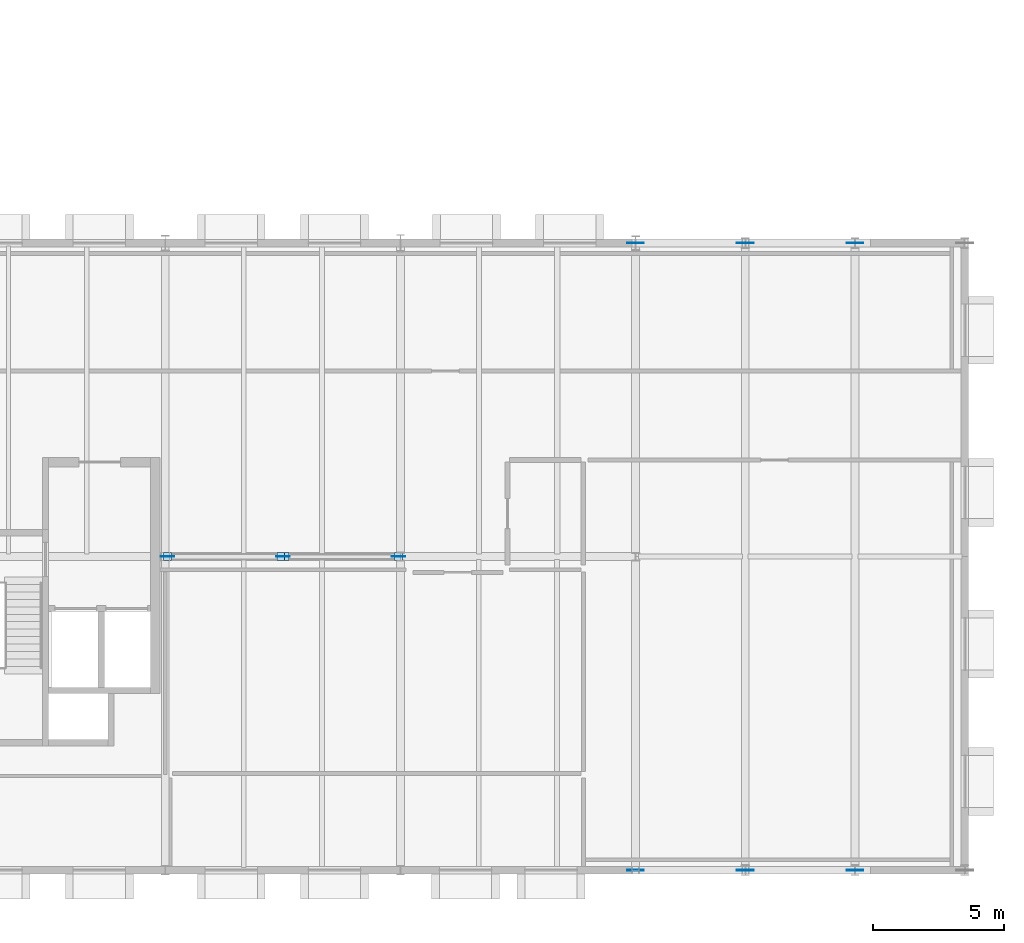
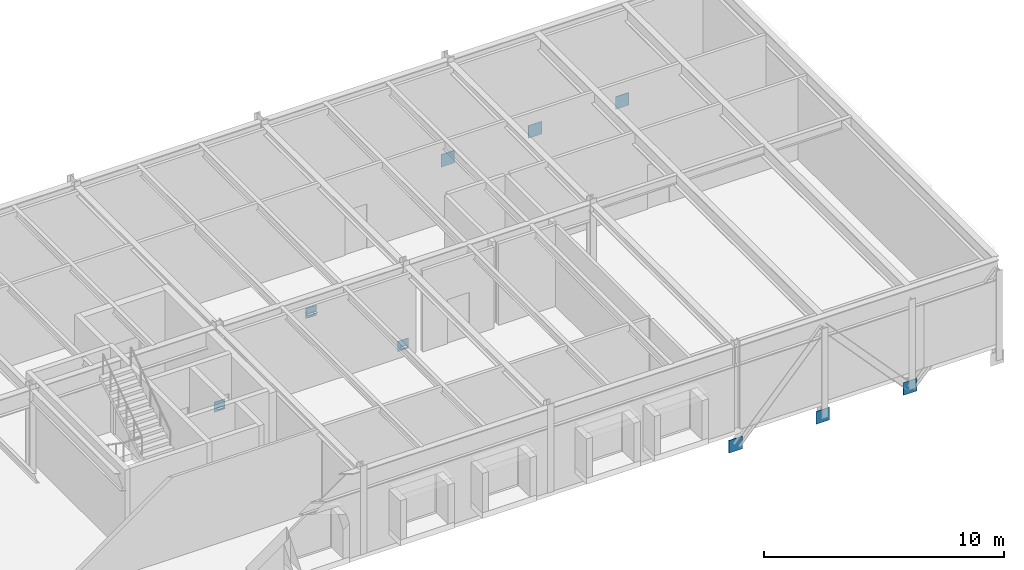
# One storey, part 51 of 67: 13 plates.
"""IFC4 building model written with IfcOpenShell, lengths in metres."""

from ifc_helpers import new_model, si_unit, direction, frame, origin, origin_2d, place, context, subcontext, project, spatial, rectangle, extrude, material, layer, layer_set, type_object, element, save


model = new_model("IFC4")

# Units and contexts
model_context = context("Model", 3, precision=1e-05, world=origin(), true_north=direction((0.0, 1.0)))
body_context = subcontext(model_context, "Body", "Model", "MODEL_VIEW")
ifc_project = project(units=[si_unit("LENGTHUNIT", "METRE"), si_unit("AREAUNIT", "SQUARE_METRE"), si_unit("VOLUMEUNIT", "CUBIC_METRE"), si_unit("PLANEANGLEUNIT", "RADIAN"), si_unit("MASSUNIT", "GRAM", prefix="KILO")], contexts=[model_context])

# Site, building, storey
site_placement = place(None, origin())
site = spatial("IfcSite", under=ifc_project, at=site_placement, CompositionType="ELEMENT")
building_placement = place(site_placement, origin())
building = spatial("IfcBuilding", under=site, at=building_placement, Name="Montelvaro Courts of Justice", CompositionType="ELEMENT")
storey_placement = place(building_placement, frame((0.0, 0.0, 18.89990234375)))
storey = spatial("IfcBuildingStorey", under=building, at=storey_placement, Name="L04", CompositionType="ELEMENT", Elevation=18.89990234375)

# Plates
ifc_material = material(Name="Steel S355", Category="steel")
ifc_layer_1 = layer(ifc_material, 0.011962890625)
ifc_layer_set_1 = layer_set([ifc_layer_1], Name="Steel S355")
plate_type_1 = type_object("IfcPlateType", Name="EndCapPlate_12", PredefinedType="USERDEFINED", material=ifc_layer_set_1)
for number, where, z_axis, x_axis, name in (
    (1, (117.080078125, 12.0, 0.07421875), (0.0, 0.0, 1.0), (1.0, 0.0, 0.0), "Brace End Cap Plate CP-01 CBF2-L04-1A"),
    (2, (121.419921875, 12.0, 3.333984375), (0.0, 0.0, 1.0), (1.0, 0.0, 0.0), "Brace End Cap Plate CP-01 CBF2-L04-1B"),
    (3, (125.919921875, 12.0, 0.07421875), (0.0, 0.0, 1.0), (1.0, 0.0, 0.0), "Brace End Cap Plate CP-01 CBF2-L04-2A"),
    (4, (121.580078125, 12.0, 3.333984375), (0.0, 0.0, 1.0), (1.0, 0.0, 0.0), "Brace End Cap Plate CP-01 CBF2-L04-2B"),
):
    element("IfcPlate", number, at=place(storey_placement, frame(where, z_axis=z_axis, x_axis=x_axis)), inside=storey, type_object=plate_type_1, Name=name, ObjectType="GUSSET PLATE", PredefinedType="USERDEFINED", context=body_context, shape_type="SweptSolid", body=[
        extrude(rectangle(XDim=0.300048828125, YDim=0.300048828125, at=origin_2d()), origin(), (0.0, 0.0, 1.0), 0.011962890625),
    ])
ifc_layer_2 = layer(ifc_material, 0.02001953125)
ifc_layer_set_2 = layer_set([ifc_layer_2], Name="Steel S355")
plate_type_2 = type_object("IfcPlateType", Name="GussetPlate_20", PredefinedType="USERDEFINED", material=ifc_layer_set_2)
for number, where, z_axis, x_axis, name in (
    (5, (117.080078125, 12.0, -0.099853515625), (0.0, 0.0, 1.0), (1.0, 0.0, 0.0), "Chevron Brace Base Gusset Plate GP-01 CBF2-L04-B1"),
    (6, (125.919921875, 12.0, -0.099853515625), (0.0, 0.0, 1.0), (1.0, 0.0, 0.0), "Chevron Brace Base Gusset Plate GP-01 CBF2-L04-B2"),
    (7, (121.5, 12.0, 3.1201171875), (0.0, 0.0, 1.0), (1.0, 0.0, 0.0), "Chevron Brace Gusset Plate GP-01 CBF2-L04"),
):
    element("IfcPlate", number, at=place(storey_placement, frame(where, z_axis=z_axis, x_axis=x_axis)), inside=storey, type_object=plate_type_2, Name=name, ObjectType="GUSSET PLATE", PredefinedType="USERDEFINED", context=body_context, shape_type="SweptSolid", body=[
        extrude(rectangle(XDim=0.52001953125, YDim=0.02001953125, at=origin_2d()), origin(), (0.0, 0.0, 1.0), 0.52001953125),
    ])
ifc_layer_3 = layer(ifc_material, 0.028076171875)
ifc_layer_set_3 = layer_set([ifc_layer_3], Name="Steel S355")
plate_type_3 = type_object("IfcPlateType", Name="GussetPlate_28", PredefinedType="USERDEFINED", material=ifc_layer_set_3)
for number, where, z_axis, x_axis, name in (
    (8, (135.0, 0.0, -1.14404296875), (0.0, 0.0, 1.0), (1.0, 0.0, 0.0), "Pratt Truss Gusset Plate GP-02 CTR-BAR2-S-L04-0B"),
    (9, (139.199951171875, 0.0, -1.14404296875), (0.0, 0.0, 1.0), (1.0, 0.0, 0.0), "Pratt Truss Gusset Plate GP-02 CTR-BAR2-S-L04-1B"),
    (10, (143.39990234375, 0.0, -1.14404296875), (0.0, 0.0, 1.0), (1.0, 0.0, 0.0), "Pratt Truss Gusset Plate GP-02 CTR-BAR2-S-L04-2B"),
    (11, (135.0, 24.0, -1.14404296875), (0.0, 0.0, 1.0), (1.0, 0.0, 0.0), "Pratt Truss Gusset Plate GP-02 CTR-BAR2-N-L04-0B"),
    (12, (139.199951171875, 24.0, -1.14404296875), (0.0, 0.0, 1.0), (1.0, 0.0, 0.0), "Pratt Truss Gusset Plate GP-02 CTR-BAR2-N-L04-1B"),
    (13, (143.39990234375, 24.0, -1.14404296875), (0.0, 0.0, 1.0), (1.0, 0.0, 0.0), "Pratt Truss Gusset Plate GP-02 CTR-BAR2-N-L04-2B"),
):
    element("IfcPlate", number, at=place(storey_placement, frame(where, z_axis=z_axis, x_axis=x_axis)), inside=storey, type_object=plate_type_3, Name=name, ObjectType="GUSSET PLATE", PredefinedType="USERDEFINED", context=body_context, shape_type="SweptSolid", body=[
        extrude(rectangle(XDim=0.639892578125, YDim=0.028076171875, at=origin_2d()), origin(), (0.0, 0.0, 1.0), 0.639892578125),
    ])

save(model, "model.ifc")
